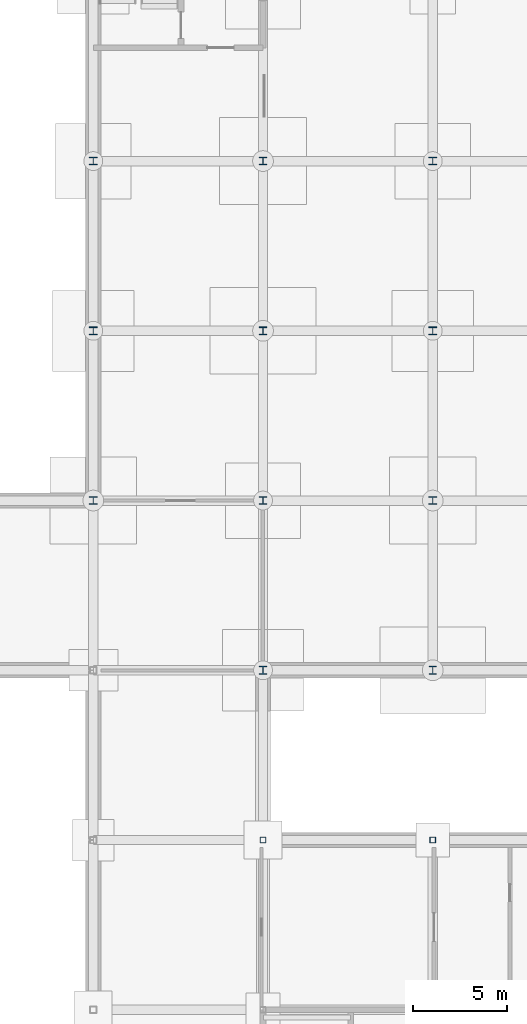
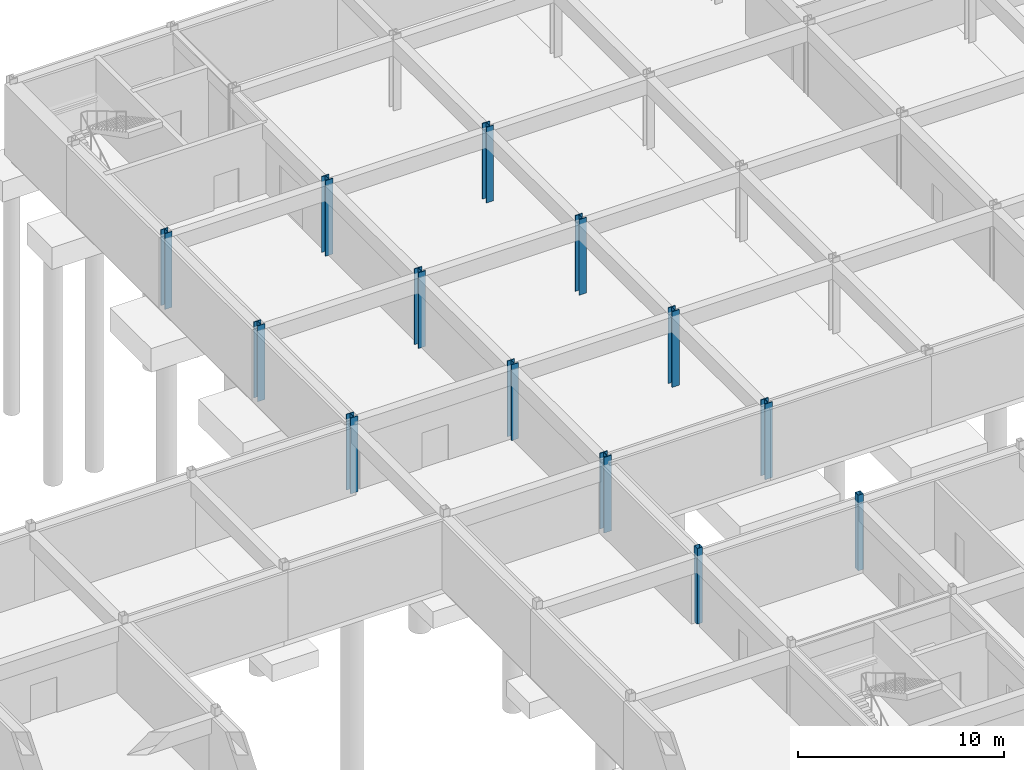
# One storey, part 13 of 41: 13 columns.
"""IFC4 building model written with IfcOpenShell, lengths in metres."""

from ifc_helpers import new_model, si_unit, direction, frame, origin, origin_2d, place, context, subcontext, project, spatial, hollow_rectangle, i_section, extrude, material, material_profile, profile_set, type_object, element, save


model = new_model("IFC4")

# Units and contexts
model_context = context("Model", 3, precision=1e-05, world=origin(), true_north=direction((0.0, 1.0)))
body_context = subcontext(model_context, "Body", "Model", "MODEL_VIEW")
ifc_project = project(units=[si_unit("LENGTHUNIT", "METRE"), si_unit("AREAUNIT", "SQUARE_METRE"), si_unit("VOLUMEUNIT", "CUBIC_METRE"), si_unit("PLANEANGLEUNIT", "RADIAN"), si_unit("MASSUNIT", "GRAM", prefix="KILO")], contexts=[model_context])

# Site, building, storey
site_placement = place(None, origin())
site = spatial("IfcSite", under=ifc_project, at=site_placement, CompositionType="ELEMENT")
building_placement = place(site_placement, origin())
building = spatial("IfcBuilding", under=site, at=building_placement, Name="Palais des Congres Ocreval", CompositionType="ELEMENT")
storey_placement = place(building_placement, frame((0.0, 0.0, -8.9599609375)))
storey = spatial("IfcBuildingStorey", under=building, at=storey_placement, Name="B2", CompositionType="ELEMENT", Elevation=-8.9599609375)

# Columns
ifc_material_1 = material(Name="Steel S355", Category="steel")
ifc_material_profile_1 = material_profile(ifc_material_1, i_section(OverallWidth=0.406005859375, OverallDepth=0.416015625, WebThickness=0.0224609375, FlangeThickness=0.0380859375, at=origin_2d()), Name="HD 400x382")
ifc_profile_set_1 = profile_set([ifc_material_profile_1], Name="Steel S355")
column_type_1 = type_object("IfcColumnType", Name="Column HD 400x382 Steel S355", PredefinedType="COLUMN", material=ifc_profile_set_1)
for number, where, z_axis, x_axis, name in (
    (1, (99.0, 81.0, 0.0), (0.0, 0.0, 1.0), (1.0, 0.0, 0.0), "Column C03 B2"),
    (2, (99.0, 90.0, 0.0), (0.0, 0.0, 1.0), (1.0, 0.0, 0.0), "Column C03 B2"),
    (3, (99.0, 99.0, 0.0), (0.0, 0.0, 1.0), (1.0, 0.0, 0.0), "Column C03 B2"),
    (4, (108.0, 81.0, 0.0), (0.0, 0.0, 1.0), (1.0, 0.0, 0.0), "Column C03 B2"),
    (5, (108.0, 90.0, 0.0), (0.0, 0.0, 1.0), (1.0, 0.0, 0.0), "Column C03 B2"),
    (6, (108.0, 99.0, 0.0), (0.0, 0.0, 1.0), (1.0, 0.0, 0.0), "Column C03 B2"),
    (7, (117.0, 81.0, 0.0), (0.0, 0.0, 1.0), (1.0, 0.0, 0.0), "Column C03 B2"),
    (8, (117.0, 90.0, 0.0), (0.0, 0.0, 1.0), (1.0, 0.0, 0.0), "Column C03 B2"),
    (9, (117.0, 99.0, 0.0), (0.0, 0.0, 1.0), (1.0, 0.0, 0.0), "Column C03 B2"),
):
    element("IfcColumn", number, at=place(storey_placement, frame(where, z_axis=z_axis, x_axis=x_axis)), inside=storey, type_object=column_type_1, Name=name, PredefinedType="COLUMN", context=body_context, shape_type="SweptSolid", body=[
        extrude(i_section(OverallWidth=0.406005859375, OverallDepth=0.416015625, WebThickness=0.0224609375, FlangeThickness=0.0380859375, at=origin_2d()), origin(), (0.0, 0.0, 1.0), 4.47998046875),
    ])
ifc_material_2 = material(Name="Steel S460", Category="steel")
ifc_material_profile_2 = material_profile(ifc_material_2, i_section(OverallWidth=0.41796875, OverallDepth=0.455078125, WebThickness=0.031982421875, FlangeThickness=0.055908203125, at=origin_2d()), Name="HD 400x551")
ifc_profile_set_2 = profile_set([ifc_material_profile_2], Name="Steel S460")
column_type_2 = type_object("IfcColumnType", Name="Column HD 400x551 Steel S460", PredefinedType="COLUMN", material=ifc_profile_set_2)
for number, where, z_axis, x_axis, name in (
    (10, (108.0, 72.0, 0.0), (0.0, 0.0, 1.0), (1.0, 0.0, 0.0), "Column C01 B2"),
    (11, (117.0, 72.0, 0.0), (0.0, 0.0, 1.0), (1.0, 0.0, 0.0), "Column C01 B2"),
):
    element("IfcColumn", number, at=place(storey_placement, frame(where, z_axis=z_axis, x_axis=x_axis)), inside=storey, type_object=column_type_2, Name=name, PredefinedType="COLUMN", context=body_context, shape_type="SweptSolid", body=[
        extrude(i_section(OverallWidth=0.41796875, OverallDepth=0.455078125, WebThickness=0.031982421875, FlangeThickness=0.055908203125, at=origin_2d()), origin(), (0.0, 0.0, 1.0), 4.47998046875),
    ])
ifc_material_profile_3 = material_profile(ifc_material_1, hollow_rectangle(XDim=0.300048828125, YDim=0.300048828125, WallThickness=0.012451171875, at=origin_2d()), Name="RHS 300x300x12.5")
ifc_profile_set_3 = profile_set([ifc_material_profile_3], Name="Steel S355")
column_type_3 = type_object("IfcColumnType", Name="Column RHS 300x300x12.5 Steel S355", PredefinedType="COLUMN", material=ifc_profile_set_3)
for number, where, z_axis, x_axis, name in (
    (12, (108.0, 63.0, 0.0), (0.0, 0.0, 1.0), (1.0, 0.0, 0.0), "Column C19 B2"),
    (13, (117.0, 63.0, 0.0), (0.0, 0.0, 1.0), (1.0, 0.0, 0.0), "Column C19 B2"),
):
    element("IfcColumn", number, at=place(storey_placement, frame(where, z_axis=z_axis, x_axis=x_axis)), inside=storey, type_object=column_type_3, Name=name, PredefinedType="COLUMN", context=body_context, shape_type="SweptSolid", body=[
        extrude(hollow_rectangle(XDim=0.300048828125, YDim=0.300048828125, WallThickness=0.012451171875, at=origin_2d()), origin(), (0.0, 0.0, 1.0), 4.47998046875),
    ])

save(model, "model.ifc")
